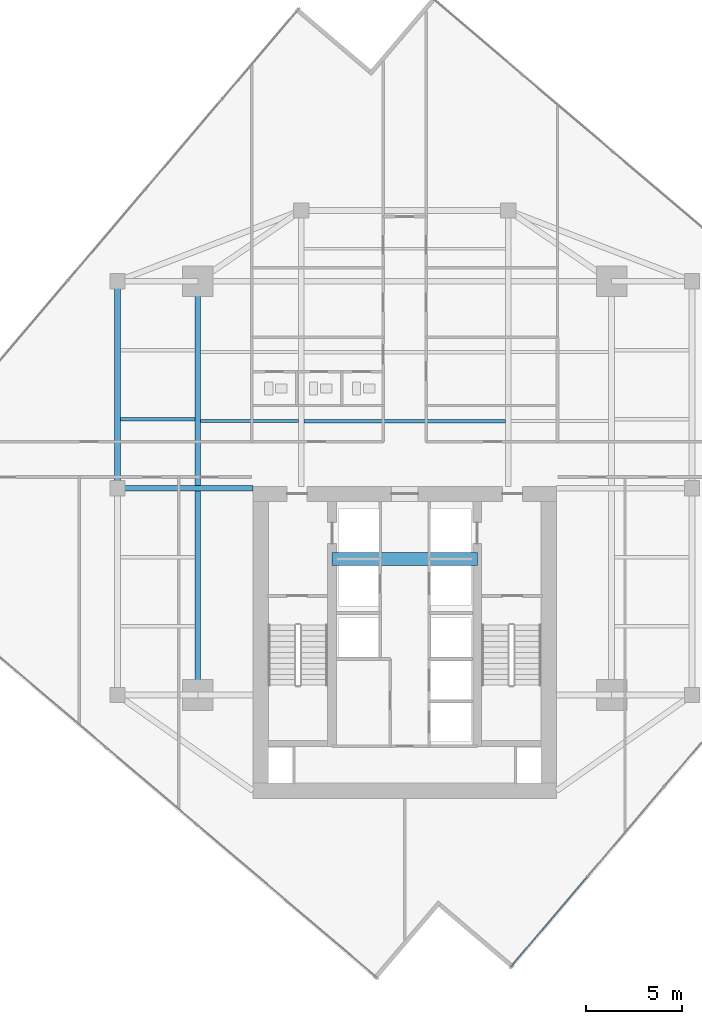
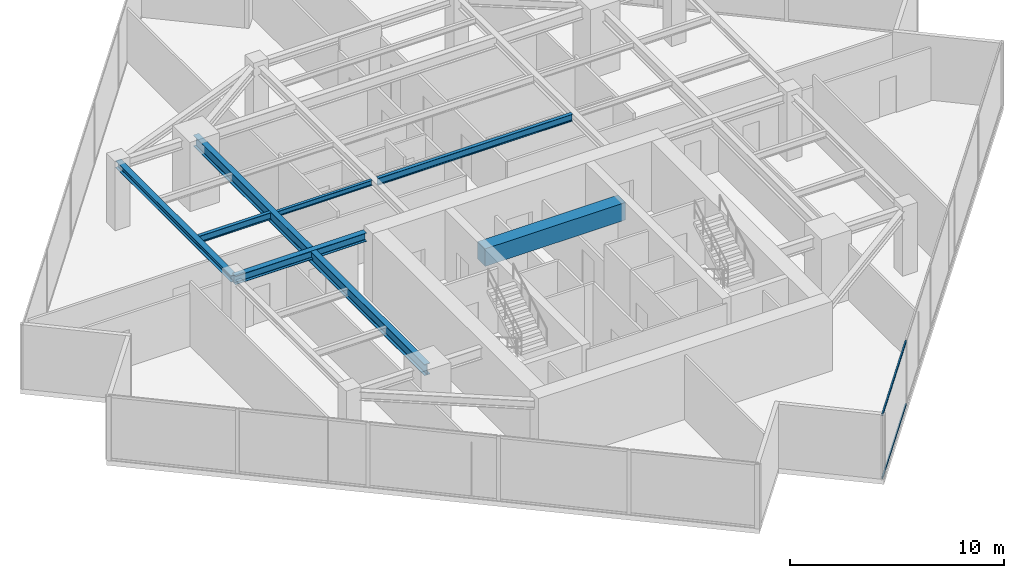
# One storey, part 9 of 25: 7 beams, 2 members, 1 element without a shape of its own.
"""IFC4 building model written with IfcOpenShell, lengths in metres."""

from ifc_helpers import new_model, si_unit, direction, frame, origin, origin_2d, place, context, subcontext, project, spatial, rectangle, hollow_rectangle, i_section, extrude, source, transform, mapped, material, material_profile, profile_set, type_object, type_shapes, element, aggregate, save


model = new_model("IFC4")

# Units and contexts
model_context = context("Model", 3, precision=1e-05, world=origin(), true_north=direction((0.0, 1.0)))
body_context = subcontext(model_context, "Body", "Model", "MODEL_VIEW")
ifc_project = project(units=[si_unit("LENGTHUNIT", "METRE"), si_unit("AREAUNIT", "SQUARE_METRE"), si_unit("VOLUMEUNIT", "CUBIC_METRE"), si_unit("PLANEANGLEUNIT", "RADIAN"), si_unit("MASSUNIT", "GRAM", prefix="KILO")], contexts=[model_context])

# Site, building, storey
site_placement = place(None, origin())
site = spatial("IfcSite", under=ifc_project, at=site_placement, CompositionType="ELEMENT")
building_placement = place(site_placement, origin())
building = spatial("IfcBuilding", under=site, at=building_placement, Name="Krantzveldt Concourse Tower", CompositionType="ELEMENT")
storey_placement = place(building_placement, frame((0.0, 0.0, 211.25)))
storey = spatial("IfcBuildingStorey", under=building, at=storey_placement, Name="L51", CompositionType="ELEMENT", Elevation=211.25)

# Beams
ifc_material_1 = material(Name="Steel S355JR", Category="steel")
ifc_material_profile_1 = material_profile(ifc_material_1, i_section(OverallWidth=0.300048828125, OverallDepth=0.639892578125, WebThickness=0.013427734375, FlangeThickness=0.02587890625, FilletRadius=0.027099609375, at=origin_2d()), Name="Steel S355JR", Category="steel")
ifc_profile_set_1 = profile_set([ifc_material_profile_1], Name="Steel S355JR - HEA 650")
beam_type_1 = type_object("IfcBeamType", Name="BM-B-HEA650", PredefinedType="BEAM", material=ifc_profile_set_1)
shared_shape_1 = source(origin(), body_context, "Body", "SweptSolid", [
    extrude(i_section(OverallWidth=0.300048828125, OverallDepth=0.639892578125, WebThickness=0.013427734375, FlangeThickness=0.02587890625, FilletRadius=0.027099609375, at=origin_2d()), origin(), (0.0, 0.0, 1.0), 21.60009765625),
])
type_shapes(beam_type_1, [shared_shape_1])
beam_1_placement = place(storey_placement, frame((25.199951171875, 15.89990234375, 3.35009765625), z_axis=(0.0, 1.0, 0.0), x_axis=(-1.0, 0.0, 0.0)))
element("IfcBeam", 1, at=beam_1_placement, inside=storey, type_object=beam_type_1, Name="L51 Tower Girder BG-MW", PredefinedType="BEAM", context=body_context, shape_type="MappedRepresentation", body=[
    mapped(shared_shape_1, transform((0.0, 0.0, 0.0), x_axis=(1.0, 0.0, 0.0), y_axis=(0.0, 1.0, 0.0), z_axis=(0.0, 0.0, 1.0), scale=1.0)),
])
ifc_material_profile_2 = material_profile(ifc_material_1, i_section(OverallWidth=0.179931640625, OverallDepth=0.39990234375, WebThickness=0.008544921875, FlangeThickness=0.013427734375, FilletRadius=0.02099609375, at=origin_2d()), Name="Steel S355JR", Category="steel")
ifc_profile_set_2 = profile_set([ifc_material_profile_2], Name="Steel S355JR - IPE 400")
beam_type_2 = type_object("IfcBeamType", Name="BM-J-IPE400", PredefinedType="JOIST", material=ifc_profile_set_2)
shared_shape_2 = source(origin(), body_context, "Body", "SweptSolid", [
    extrude(i_section(OverallWidth=0.179931640625, OverallDepth=0.39990234375, WebThickness=0.008544921875, FlangeThickness=0.013427734375, FilletRadius=0.02099609375, at=origin_2d()), origin(), (0.0, 0.0, 1.0), 10.5),
])
beam_2_placement = place(storey_placement, frame((30.75, 30.199951171875, 3.469970703125), z_axis=(1.0, 0.0, 0.0), x_axis=(0.0, 1.0, 0.0)))
element("IfcBeam", 2, at=beam_2_placement, inside=storey, type_object=beam_type_2, Name="L51 Secondary Floor Joist JN-C1", PredefinedType="JOIST", context=body_context, shape_type="MappedRepresentation", body=[
    mapped(shared_shape_2, transform((0.0, 0.0, 0.0), x_axis=(1.0, 0.0, 0.0), y_axis=(0.0, 1.0, 0.0), z_axis=(0.0, 0.0, 1.0), scale=1.0)),
])
ifc_material_2 = material(Name="Concrete C50/60", Category="concrete")
ifc_material_profile_3 = material_profile(ifc_material_2, rectangle(XDim=0.699951171875, YDim=1.0, at=origin_2d()), Name="Concrete C50/60", Category="concrete")
ifc_profile_set_3 = profile_set([ifc_material_profile_3], Name="Concrete C50/60 - RC-CB 700x1000")
beam_type_3 = type_object("IfcBeamType", Name="BM-CB-1000", PredefinedType="LINTEL", material=ifc_profile_set_3)
shared_shape_3 = source(origin(), body_context, "Body", "SweptSolid", [
    extrude(rectangle(XDim=0.699951171875, YDim=1.0, at=origin_2d()), origin(), (0.0, 0.0, 1.0), 7.580078125),
])
type_shapes(beam_type_3, [shared_shape_3])
beam_3_placement = place(storey_placement, frame((32.2099609375, 23.0, 3.169921875), z_axis=(1.0, 0.0, 0.0), x_axis=(0.0, 1.0, 0.0)))
element("IfcBeam", 3, at=beam_3_placement, inside=storey, type_object=beam_type_3, Name="CB-L51-01", PredefinedType="LINTEL", context=body_context, shape_type="MappedRepresentation", body=[
    mapped(shared_shape_3, transform((0.0, 0.0, 0.0), x_axis=(1.0, 0.0, 0.0), y_axis=(0.0, 1.0, 0.0), z_axis=(0.0, 0.0, 1.0), scale=1.0)),
])
ifc_material_profile_4 = material_profile(ifc_material_1, i_section(OverallWidth=0.300048828125, OverallDepth=0.389892578125, WebThickness=0.010986328125, FlangeThickness=0.01904296875, FilletRadius=0.027099609375, at=origin_2d()), Name="Steel S355JR", Category="steel")
ifc_profile_set_4 = profile_set([ifc_material_profile_4], Name="Steel S355JR - HEA 400")
beam_type_4 = type_object("IfcBeamType", Name="BM-SP-HEA400", PredefinedType="SPANDREL", material=ifc_profile_set_4)
shared_shape_4 = source(origin(), body_context, "Body", "SweptSolid", [
    extrude(i_section(OverallWidth=0.300048828125, OverallDepth=0.389892578125, WebThickness=0.010986328125, FlangeThickness=0.01904296875, FilletRadius=0.027099609375, at=origin_2d()), origin(), (0.0, 0.0, 1.0), 10.800048828125),
])
type_shapes(beam_type_4, [shared_shape_4])
beam_4_placement = place(storey_placement, frame((21.0, 26.699951171875, 3.47509765625), z_axis=(0.0, 1.0, 0.0), x_axis=(-1.0, 0.0, 0.0)))
element("IfcBeam", 4, at=beam_4_placement, inside=storey, type_object=beam_type_4, Name="L51 Tower Girder SP-R02", PredefinedType="SPANDREL", context=body_context, shape_type="MappedRepresentation", body=[
    mapped(shared_shape_4, transform((0.0, 0.0, 0.0), x_axis=(1.0, 0.0, 0.0), y_axis=(0.0, 1.0, 0.0), z_axis=(0.0, 0.0, 1.0), scale=1.0)),
])
ifc_material_profile_5 = material_profile(ifc_material_1, i_section(OverallWidth=0.300048828125, OverallDepth=0.489990234375, WebThickness=0.011962890625, FlangeThickness=0.02294921875, FilletRadius=0.027099609375, at=origin_2d()), Name="Steel S355JR", Category="steel")
ifc_profile_set_5 = profile_set([ifc_material_profile_5], Name="Steel S355JR - HEA 500")
beam_type_5 = type_object("IfcBeamType", Name="BM-B-HEA500", PredefinedType="BEAM", material=ifc_profile_set_5)
shared_shape_5 = source(origin(), body_context, "Body", "SweptSolid", [
    extrude(i_section(OverallWidth=0.300048828125, OverallDepth=0.489990234375, WebThickness=0.011962890625, FlangeThickness=0.02294921875, FilletRadius=0.027099609375, at=origin_2d()), origin(), (0.0, 0.0, 1.0), 7.080078125),
])
type_shapes(beam_type_5, [shared_shape_5])
beam_5_placement = place(storey_placement, frame((21.0, 26.699951171875, 3.425048828125), z_axis=(1.0, 0.0, 0.0), x_axis=(0.0, 1.0, 0.0)))
element("IfcBeam", 5, at=beam_5_placement, inside=storey, type_object=beam_type_5, Name="L51 Tower Girder BG-CW2", PredefinedType="BEAM", context=body_context, shape_type="MappedRepresentation", body=[
    mapped(shared_shape_5, transform((0.0, 0.0, 0.0), x_axis=(1.0, 0.0, 0.0), y_axis=(0.0, 1.0, 0.0), z_axis=(0.0, 0.0, 1.0), scale=1.0)),
])
ifc_material_profile_6 = material_profile(ifc_material_1, i_section(OverallWidth=0.14990234375, OverallDepth=0.300048828125, WebThickness=0.007080078125, FlangeThickness=0.0107421875, FilletRadius=0.014892578125, at=origin_2d()), Name="Steel S355JR", Category="steel")
ifc_profile_set_6 = profile_set([ifc_material_profile_6], Name="Steel S355JR - IPE 300")
beam_type_6 = type_object("IfcBeamType", Name="BM-J-IPE300", PredefinedType="JOIST", material=ifc_profile_set_6)
shared_shape_6 = source(origin(), body_context, "Body", "SweptSolid", [
    extrude(i_section(OverallWidth=0.14990234375, OverallDepth=0.300048828125, WebThickness=0.007080078125, FlangeThickness=0.0107421875, FilletRadius=0.014892578125, at=origin_2d()), origin(), (0.0, 0.0, 1.0), 5.099853515625),
])
type_shapes(beam_type_6, [shared_shape_6])
beam_6_placement = place(storey_placement, frame((25.35009765625, 30.199951171875, 3.52001953125), z_axis=(1.0, 0.0, 0.0), x_axis=(0.0, 1.0, 0.0)))
element("IfcBeam", 6, at=beam_6_placement, inside=storey, type_object=beam_type_6, Name="L51 Secondary Floor Joist JN-W1", PredefinedType="JOIST", context=body_context, shape_type="MappedRepresentation", body=[
    mapped(shared_shape_6, transform((0.0, 0.0, 0.0), x_axis=(1.0, 0.0, 0.0), y_axis=(0.0, 1.0, 0.0), z_axis=(0.0, 0.0, 1.0), scale=1.0)),
])
shared_shape_7 = source(origin(), body_context, "Body", "SweptSolid", [
    extrude(i_section(OverallWidth=0.179931640625, OverallDepth=0.39990234375, WebThickness=0.008544921875, FlangeThickness=0.013427734375, FilletRadius=0.02099609375, at=origin_2d()), origin(), (0.0, 0.0, 1.0), 3.900146484375),
])
type_shapes(beam_type_2, [shared_shape_2, shared_shape_7])
beam_7_placement = place(storey_placement, frame((21.14990234375, 30.300048828125, 3.469970703125), z_axis=(1.0, 0.0, 0.0), x_axis=(0.0, 1.0, 0.0)))
element("IfcBeam", 7, at=beam_7_placement, inside=storey, type_object=beam_type_2, Name="L51 Secondary Floor Joist JW-3", PredefinedType="JOIST", context=body_context, shape_type="MappedRepresentation", body=[
    mapped(shared_shape_7, transform((0.0, 0.0, 0.0), x_axis=(1.0, 0.0, 0.0), y_axis=(0.0, 1.0, 0.0), z_axis=(0.0, 0.0, 1.0), scale=1.0)),
])

# Curtain wall, members
ifc_material_3 = material(Name="Anodised aluminium 6063-T6", Category="aluminium")
curtain_wall_type = type_object("IfcCurtainWallType", Name="CW3", PredefinedType="USERDEFINED", material=ifc_material_3)
curtain_wall_placement = place(storey_placement, origin())
curtain_wall = element("IfcCurtainWall", 8, at=curtain_wall_placement, inside=storey, type_object=curtain_wall_type, Name="CW-L51-F07", ObjectType="UNITISED CURTAIN WALL", PredefinedType="USERDEFINED")
ifc_material_profile_7 = material_profile(ifc_material_3, hollow_rectangle(XDim=0.070068359375, YDim=0.139892578125, WallThickness=0.0048828125, at=origin_2d()), Name="Anodised aluminium 6063-T6", Category="aluminium")
ifc_profile_set_7 = profile_set([ifc_material_profile_7], Name="Anodised aluminium 6063-T6 - ALU-TRAN 140x70x5")
member_type = type_object("IfcMemberType", Name="CW-TRN-150", PredefinedType="USERDEFINED", material=ifc_profile_set_7)
shared_shape_8 = source(origin(), body_context, "Body", "SweptSolid", [
    extrude(hollow_rectangle(XDim=0.070068359375, YDim=0.139892578125, WallThickness=0.0048828125, at=origin_2d()), origin(), (0.0, 0.0, 1.0), 6.0947265625),
])
type_shapes(member_type, [shared_shape_8])
member_1_placement = place(storey_placement, frame((41.553466796875, 1.723876953125, 0.034912109375), z_axis=(0.647804216656, 0.761806863242, 0.0), x_axis=(-0.761806863242, 0.647804216656, 0.0)))
member_1 = element("IfcMember", 9, at=member_1_placement, type_object=member_type, Name="CW-Z34 transom 1.1", ObjectType="TRANSOM", PredefinedType="USERDEFINED", context=body_context, shape_type="MappedRepresentation", body=[
    mapped(shared_shape_8, transform((0.0, 0.0, 0.0), x_axis=(1.0, 0.0, 0.0), y_axis=(0.0, 1.0, 0.0), z_axis=(0.0, 0.0, 1.0), scale=1.0)),
])
member_2_placement = place(storey_placement, frame((41.553466796875, 1.723876953125, 3.635009765625), z_axis=(0.647804216656, 0.761806863242, 0.0), x_axis=(-0.761806863242, 0.647804216656, 0.0)))
member_2 = element("IfcMember", 10, at=member_2_placement, type_object=member_type, Name="CW-Z34 transom 1.2", ObjectType="TRANSOM", PredefinedType="USERDEFINED", context=body_context, shape_type="MappedRepresentation", body=[
    mapped(shared_shape_8, transform((0.0, 0.0, 0.0), x_axis=(1.0, 0.0, 0.0), y_axis=(0.0, 1.0, 0.0), z_axis=(0.0, 0.0, 1.0), scale=1.0)),
])
aggregate(curtain_wall, [member_1, member_2])

save(model, "model.ifc")
